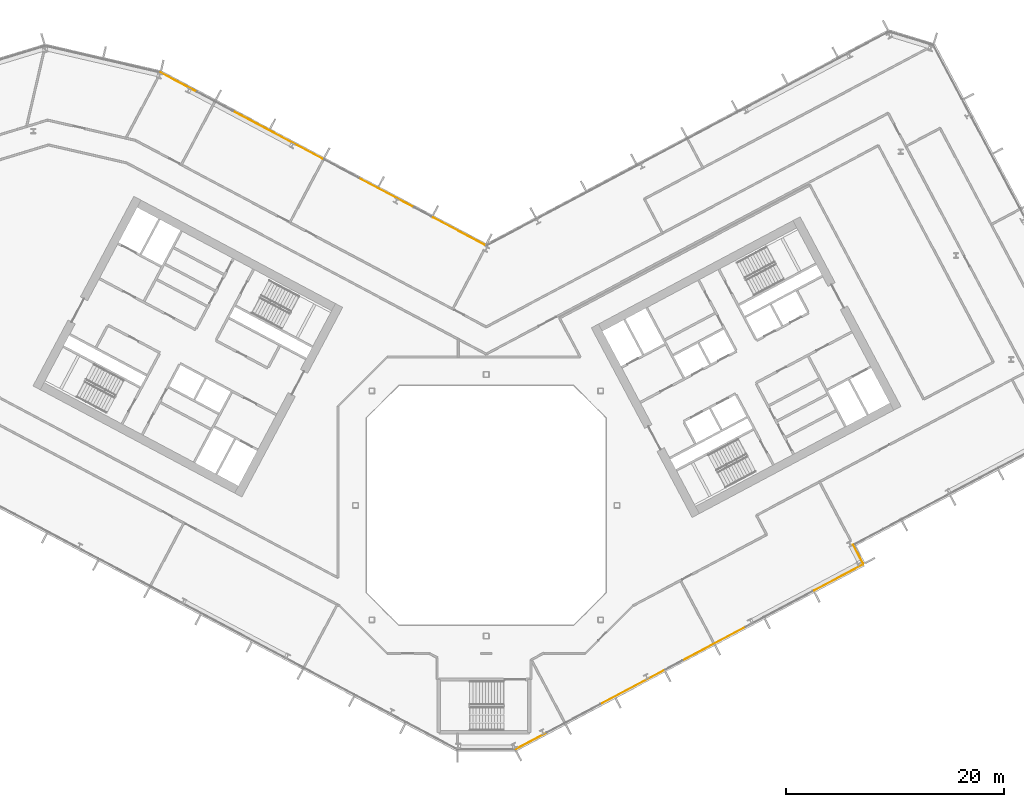
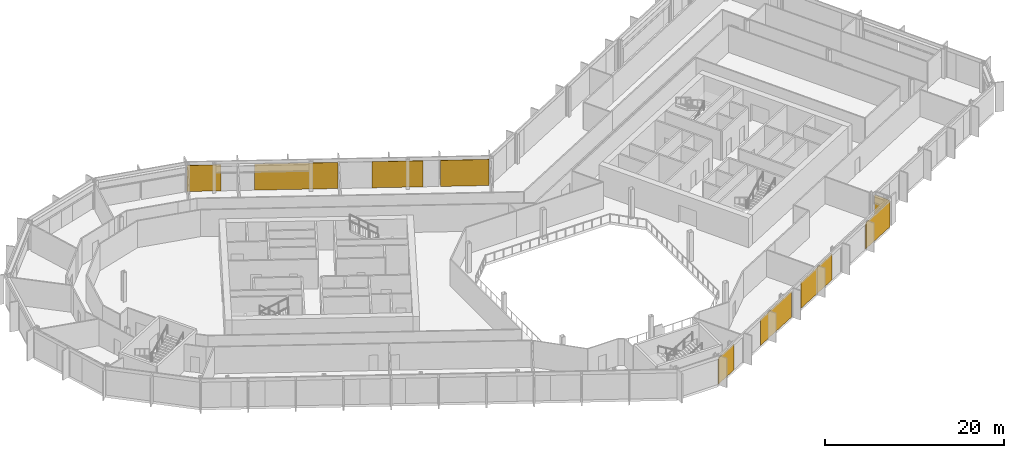
# One storey, part 24 of 28: 9 coverings, 3 elements without a shape of their own.
"""IFC4 building model written with IfcOpenShell, lengths in metres."""

from ifc_helpers import new_model, si_unit, direction, frame, origin, origin_2d, place, context, subcontext, project, spatial, rectangle, extrude, material, layer, layer_set, type_object, element, aggregate, save


model = new_model("IFC4")

# Units and contexts
model_context = context("Model", 3, precision=1e-05, world=origin(), true_north=direction((0.0, 1.0)))
body_context = subcontext(model_context, "Body", "Model", "MODEL_VIEW")
ifc_project = project(units=[si_unit("LENGTHUNIT", "METRE"), si_unit("AREAUNIT", "SQUARE_METRE"), si_unit("VOLUMEUNIT", "CUBIC_METRE"), si_unit("PLANEANGLEUNIT", "RADIAN"), si_unit("MASSUNIT", "GRAM", prefix="KILO")], contexts=[model_context])

# Site, building, storey
site_placement = place(None, origin())
site = spatial("IfcSite", under=ifc_project, at=site_placement, CompositionType="ELEMENT")
building_placement = place(site_placement, origin())
building = spatial("IfcBuilding", under=site, at=building_placement, Name="Cormorant Relay Tower", CompositionType="ELEMENT")
storey_placement = place(building_placement, frame((0.0, 0.0, 162.199951171875)))
storey = spatial("IfcBuildingStorey", under=building, at=storey_placement, Name="L34", CompositionType="ELEMENT", Elevation=162.199951171875)

# Curtain wall, coverings
ifc_material_1 = material(Name="Aluminium 6063-T6 anodised bronze", Category="aluminium")
ifc_layer_1 = layer(ifc_material_1, 0.199951171875)
ifc_layer_set_1 = layer_set([ifc_layer_1], Name="CW1 unitised bronze curtain wall with vertical fins")
curtain_wall_type = type_object("IfcCurtainWallType", Name="CW1 unitised bronze curtain wall with vertical fins", PredefinedType="NOTDEFINED", material=ifc_layer_set_1)
curtain_wall_1_placement = place(storey_placement, origin())
curtain_wall_1 = element("IfcCurtainWall", 1, at=curtain_wall_1_placement, inside=storey, type_object=curtain_wall_type, Name="CW1 curtain wall 2", PredefinedType="NOTDEFINED")
ifc_material_2 = material(Name="Pale bronze anodised aluminium insulated panel", Category="aluminium")
ifc_layer_2 = layer(ifc_material_2, 0.0400390625)
ifc_layer_set_2 = layer_set([ifc_layer_2], Name="CW1 pale bronze insulated panel 40")
covering_type = type_object("IfcCoveringType", Name="CW1 pale bronze insulated panel 40", PredefinedType="CLADDING", material=ifc_layer_set_2)
covering_1_placement = place(storey_placement, frame((4.14453125, -21.60302734375, 0.0), z_axis=(0.0, 0.0, 1.0), x_axis=(0.882947592859, 0.469471562786, 0.0)))
covering_1 = element("IfcCovering", 2, at=covering_1_placement, type_object=covering_type, Name="CW1 panel S00", PredefinedType="CLADDING", context=body_context, shape_type="SweptSolid", body=[
    extrude(rectangle(XDim=3.216552734375, YDim=0.0400390625, at=origin_2d()), origin(), (0.0, 0.0, 1.0), 3.550048828125),
])
covering_2_placement = place(storey_placement, frame((13.37109375, -16.697021484375, 0.0), z_axis=(0.0, 0.0, 1.0), x_axis=(0.882947592859, 0.469471562786, 0.0)))
covering_2 = element("IfcCovering", 3, at=covering_2_placement, type_object=covering_type, Name="CW1 panel S03", PredefinedType="CLADDING", context=body_context, shape_type="SweptSolid", body=[
    extrude(rectangle(XDim=6.5830078125, YDim=0.0400390625, at=origin_2d()), origin(), (0.0, 0.0, 1.0), 3.550048828125),
])
covering_3_placement = place(storey_placement, frame((20.905517578125, -12.69091796875, 0.0), z_axis=(0.0, 0.0, 1.0), x_axis=(0.882947592859, 0.469471562786, 0.0)))
covering_3 = element("IfcCovering", 4, at=covering_3_placement, type_object=covering_type, Name="CW1 panel S05", PredefinedType="CLADDING", context=body_context, shape_type="SweptSolid", body=[
    extrude(rectangle(XDim=6.5830078125, YDim=0.0400390625, at=origin_2d()), origin(), (0.0, 0.0, 1.0), 3.550048828125),
])
covering_4_placement = place(storey_placement, frame((32.343017578125, -6.609619140625, 0.0), z_axis=(0.0, 0.0, 1.0), x_axis=(0.882947592859, 0.469471562786, 0.0)))
covering_4 = element("IfcCovering", 5, at=covering_4_placement, type_object=covering_type, Name="CW1 panel S08", PredefinedType="CLADDING", context=body_context, shape_type="SweptSolid", body=[
    extrude(rectangle(XDim=5.091552734375, YDim=0.0400390625, at=origin_2d()), origin(), (0.0, 0.0, 1.0), 3.550048828125),
])
aggregate(curtain_wall_1, [covering_1, covering_2, covering_3, covering_4])

# Curtain wall, covering
curtain_wall_2_placement = place(storey_placement, origin())
curtain_wall_2 = element("IfcCurtainWall", 6, at=curtain_wall_2_placement, inside=storey, type_object=curtain_wall_type, Name="CW1 curtain wall 3", PredefinedType="NOTDEFINED")
covering_5_placement = place(storey_placement, frame((34.112060546875, -4.47119140625, 0.0), z_axis=(0.0, 0.0, 1.0), x_axis=(-0.469471562786, 0.882947592859, 0.0)))
covering_5 = element("IfcCovering", 7, at=covering_5_placement, type_object=covering_type, Name="CW1 panel S00", PredefinedType="CLADDING", context=body_context, shape_type="SweptSolid", body=[
    extrude(rectangle(XDim=1.925048828125, YDim=0.0400390625, at=origin_2d()), origin(), (0.0, 0.0, 1.0), 3.550048828125),
])
aggregate(curtain_wall_2, [covering_5])

# Curtain wall, coverings
curtain_wall_3_placement = place(storey_placement, origin())
curtain_wall_3 = element("IfcCurtainWall", 8, at=curtain_wall_3_placement, inside=storey, type_object=curtain_wall_type, Name="CW1 curtain wall 9", PredefinedType="NOTDEFINED")
covering_6_placement = place(storey_placement, frame((-2.51318359375, 25.142822265625, 0.0), z_axis=(0.0, 0.0, 1.0), x_axis=(-0.882947592859, 0.469471562786, 0.0)))
covering_6 = element("IfcCovering", 9, at=covering_6_placement, type_object=covering_type, Name="CW1 panel S00", PredefinedType="CLADDING", context=body_context, shape_type="SweptSolid", body=[
    extrude(rectangle(XDim=5.4140625, YDim=0.0400390625, at=origin_2d()), origin(), (0.0, 0.0, 1.0), 3.550048828125),
])
covering_7_placement = place(storey_placement, frame((-9.15380859375, 28.673828125, 0.0), z_axis=(0.0, 0.0, 1.0), x_axis=(-0.882947592859, 0.469471562786, 0.0)))
covering_7 = element("IfcCovering", 10, at=covering_7_placement, type_object=covering_type, Name="CW1 panel S02", PredefinedType="CLADDING", context=body_context, shape_type="SweptSolid", body=[
    extrude(rectangle(XDim=5.72802734375, YDim=0.0400390625, at=origin_2d()), origin(), (0.0, 0.0, 1.0), 3.550048828125),
])
covering_8_placement = place(storey_placement, frame((-19.11181640625, 33.968505859375, 0.0), z_axis=(0.0, 0.0, 1.0), x_axis=(-0.882947592859, 0.469471562786, 0.0)))
covering_8 = element("IfcCovering", 11, at=covering_8_placement, type_object=covering_type, Name="CW1 panel S04", PredefinedType="CLADDING", context=body_context, shape_type="SweptSolid", body=[
    extrude(rectangle(XDim=9.327880859375, YDim=0.0400390625, at=origin_2d()), origin(), (0.0, 0.0, 1.0), 3.550048828125),
])
covering_9_placement = place(storey_placement, frame((-28.20263671875, 38.80224609375, 0.0), z_axis=(0.0, 0.0, 1.0), x_axis=(-0.882947592859, 0.469471562786, 0.0)))
covering_9 = element("IfcCovering", 12, at=covering_9_placement, type_object=covering_type, Name="CW1 panel S07", PredefinedType="CLADDING", context=body_context, shape_type="SweptSolid", body=[
    extrude(rectangle(XDim=3.763916015625, YDim=0.0400390625, at=origin_2d()), origin(), (0.0, 0.0, 1.0), 3.550048828125),
])
aggregate(curtain_wall_3, [covering_6, covering_7, covering_8, covering_9])

save(model, "model.ifc")
